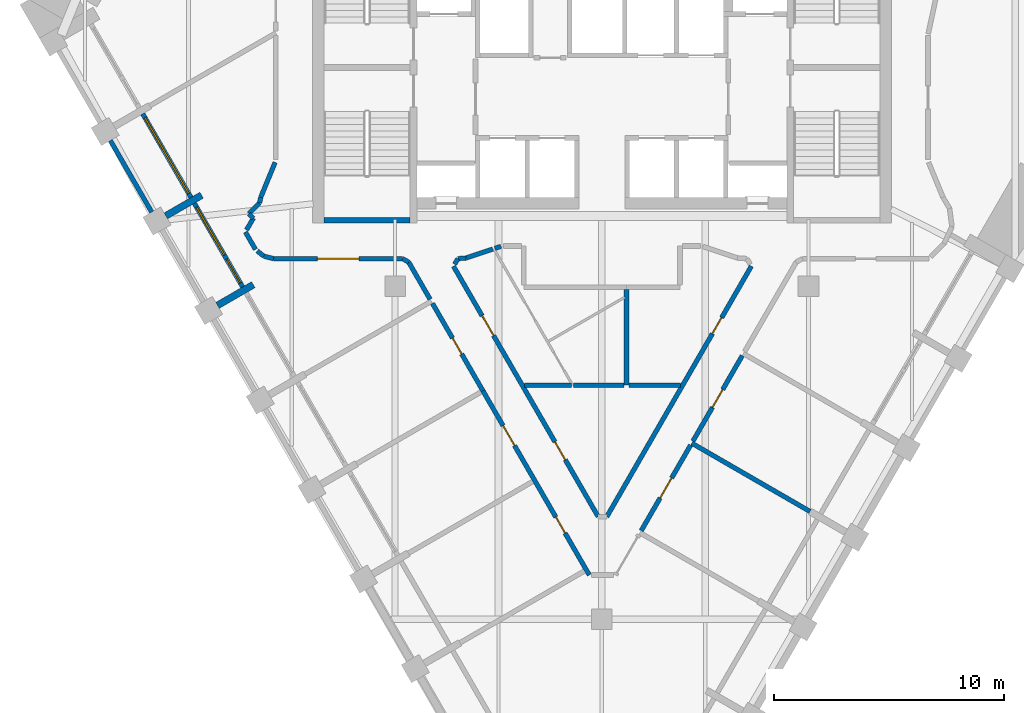
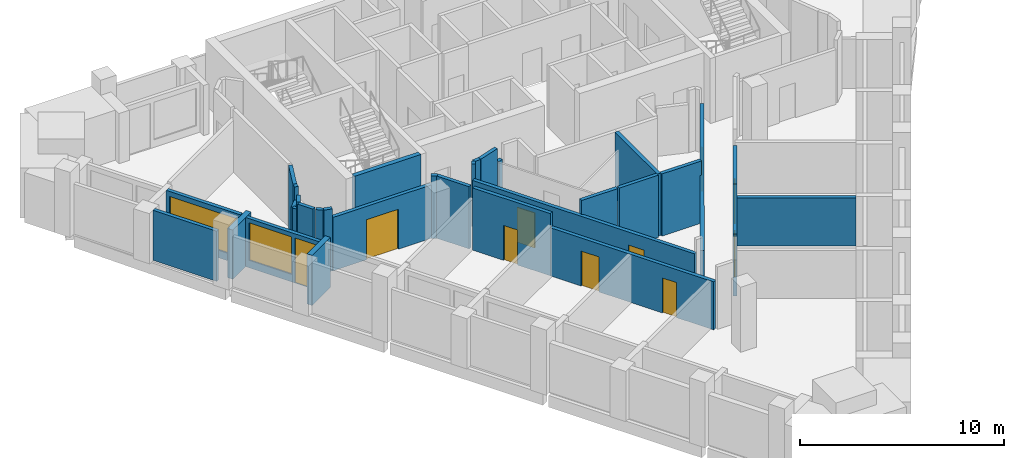
# One storey, part 3 of 8: 32 walls, 10 doors, 2 windows, 12 openings.
"""IFC4 building model written with IfcOpenShell, lengths in metres."""

from ifc_helpers import new_model, si_unit, direction, frame, frame_2d, origin, place, context, subcontext, project, spatial, rectangle, extrude, material, layer, layer_set, type_object, element, fill, save


model = new_model("IFC4")

# Units and contexts
model_context = context("Model", 3, precision=1e-05, world=origin(), true_north=direction((0.0, 1.0)))
body_context = subcontext(model_context, "Body", "Model", "MODEL_VIEW")
ifc_project = project(units=[si_unit("LENGTHUNIT", "METRE"), si_unit("AREAUNIT", "SQUARE_METRE"), si_unit("VOLUMEUNIT", "CUBIC_METRE"), si_unit("PLANEANGLEUNIT", "RADIAN"), si_unit("MASSUNIT", "GRAM", prefix="KILO")], contexts=[model_context])

# Site, building, storey
site_placement = place(None, origin())
site = spatial("IfcSite", under=ifc_project, at=site_placement, CompositionType="ELEMENT")
building_placement = place(site_placement, origin())
building = spatial("IfcBuilding", under=site, at=building_placement, Name="Calabash Gate Tower", CompositionType="ELEMENT")
storey_placement = place(building_placement, frame((0.0, 0.0, 252.10009765625)))
storey = spatial("IfcBuildingStorey", under=building, at=storey_placement, Name="L60", CompositionType="ELEMENT", Elevation=252.10009765625)

# Walls
ifc_material_1 = material(Name="Terracotta brick masonry, exposed face", Category="masonry")
ifc_layer_1 = layer(ifc_material_1, 0.300048828125)
ifc_layer_set_1 = layer_set([ifc_layer_1], Name="Brick loggia cheek wall 300")
wall_type_1 = type_object("IfcWallType", Name="Brick loggia cheek wall 300", PredefinedType="SOLIDWALL", material=ifc_layer_set_1)
wall_1_placement = place(storey_placement, frame((-17.42431640625, 6.462890625, 0.0), z_axis=(0.0, 0.0, 1.0), x_axis=(-0.866047807691, -0.499961193289, 0.0)))
element("IfcWall", 1, at=wall_1_placement, inside=storey, type_object=wall_type_1, Name="Loggia cheek S17 SW0.2", PredefinedType="SOLIDWALL", context=body_context, shape_type="SweptSolid", body=[
    extrude(rectangle(XDim=1.800048828125, YDim=0.300048828125, at=frame_2d((0.89990234375, 0.0))), origin(), (0.0, 0.0, 1.0), 2.949951171875),
])
wall_2_placement = place(storey_placement, frame((-15.17431640625, 2.56591796875, 0.0), z_axis=(0.0, 0.0, 1.0), x_axis=(-0.866047807691, -0.499961193289, 0.0)))
element("IfcWall", 2, at=wall_2_placement, inside=storey, type_object=wall_type_1, Name="Loggia cheek S17 SW0.3", PredefinedType="SOLIDWALL", context=body_context, shape_type="SweptSolid", body=[
    extrude(rectangle(XDim=1.800048828125, YDim=0.300048828125, at=frame_2d((0.89990234375, 0.0))), origin(), (0.0, 0.0, 1.0), 3.0),
])
ifc_material_2 = material(Name="Concrete C60/75", Category="concrete")
ifc_layer_2 = layer(ifc_material_2, 0.25)
ifc_layer_set_2 = layer_set([ifc_layer_2], Name="Core wall 250 Concrete C60/75")
wall_type_2 = type_object("IfcWallType", Name="Core wall 250 Concrete C60/75", PredefinedType="SHEAR", material=ifc_layer_set_2)
wall_3_placement = place(storey_placement, frame((-12.10009765625, 5.377685546875, 0.0), z_axis=(0.0, 0.0, 1.0), x_axis=(1.0, 0.0, 0.0)))
element("IfcWall", 3, at=wall_3_placement, inside=storey, type_object=wall_type_2, Name="Core wall Z5-SSW L60", PredefinedType="SHEAR", context=body_context, shape_type="SweptSolid", body=[
    extrude(rectangle(XDim=3.75, YDim=0.25, at=frame_2d((1.875, 0.0))), origin(), (0.0, 0.0, 1.0), 3.89990234375),
])

# Wall, openings, doors
ifc_material_3 = material(Name="Gypsum board on steel studs, mineral wool", Category="steel")
ifc_layer_3 = layer(ifc_material_3, 0.199951171875)
ifc_layer_set_3 = layer_set([ifc_layer_3], Name="Partition 200 gypsum board EI 60")
wall_type_3 = type_object("IfcWallType", Name="Partition 200 gypsum board EI 60", PredefinedType="PARTITIONING", material=ifc_layer_set_3)
wall_4_placement = place(storey_placement, frame((-5.176513671875, -2.054443359375, 0.0), z_axis=(0.0, 0.0, 1.0), x_axis=(0.499987206771, -0.866032789833, 0.0)))
wall_4 = element("IfcWall", 4, at=wall_4_placement, inside=storey, type_object=wall_type_3, Name="Partition", PredefinedType="PARTITIONING", context=body_context, shape_type="SweptSolid", body=[
    extrude(rectangle(XDim=9.259521484375, YDim=0.199951171875, at=frame_2d((4.6298828125, 0.0))), origin(), (0.0, 0.0, 1.0), 2.884033203125),
])
opening_1_placement = place(wall_4_placement, frame((1.75, 0.0, 0.0)))
opening_1 = element("IfcOpeningElement", 5, at=opening_1_placement, cuts=wall_4, Name="Opening 59-61-002", PredefinedType="OPENING", context=body_context, shape_type="SweptSolid", body=[
    extrude(rectangle(XDim=1.0, YDim=2.10009765625, at=frame_2d((0.5, 1.050048828125))), frame((0.0, 0.10986328125, 0.0), z_axis=(0.0, -1.0, 0.0), x_axis=(1.0, 0.0, 0.0)), (0.0, 0.0, 1.0), 0.219970703125),
])
opening_2_placement = place(wall_4_placement, frame((6.349853515625, 0.0, 0.0)))
opening_2 = element("IfcOpeningElement", 6, at=opening_2_placement, cuts=wall_4, Name="Opening 59-61-003", PredefinedType="OPENING", context=body_context, shape_type="SweptSolid", body=[
    extrude(rectangle(XDim=0.800048828125, YDim=2.10009765625, at=frame_2d((0.39990234375, 1.050048828125))), frame((0.0, 0.10986328125, 0.0), z_axis=(0.0, -1.0, 0.0), x_axis=(1.0, 0.0, 0.0)), (0.0, 0.0, 1.0), 0.219970703125),
])
ifc_material_4 = material(Name="Steel fire door set with fire-resisting glazing", Category="steel")
door_type_1 = type_object("IfcDoorType", Name="LD2 Meeting room door 1000x2100", OperationType="NOTDEFINED", PredefinedType="DOOR", material=ifc_material_4)
door_1_placement = place(opening_1_placement, origin())
door_1 = element("IfcDoor", 7, at=door_1_placement, inside=storey, type_object=door_type_1, Name="Meeting room door", OperationType="SINGLE_SWING_LEFT", OverallHeight=2.10009765625, OverallWidth=1.0, PredefinedType="DOOR", context=body_context, shape_type="SweptSolid", body=[
    extrude(rectangle(XDim=1.0, YDim=2.10009765625, at=frame_2d((0.5, 1.050048828125))), frame((0.0, 0.02490234375, 0.0), z_axis=(0.0, -1.0, 0.0), x_axis=(1.0, 0.0, 0.0)), (0.0, 0.0, 1.0), 0.050048828125),
])
fill(opening_1, door_1)
ifc_material_5 = material(Name="Painted timber door", Category="wood")
door_type_2 = type_object("IfcDoorType", Name="OD4 Phone booth door 800x2100", OperationType="NOTDEFINED", PredefinedType="DOOR", material=ifc_material_5)
door_2_placement = place(opening_2_placement, origin())
door_2 = element("IfcDoor", 8, at=door_2_placement, inside=storey, type_object=door_type_2, Name="Phone booth door", OperationType="SINGLE_SWING_LEFT", OverallHeight=2.10009765625, OverallWidth=0.800048828125, PredefinedType="DOOR", context=body_context, shape_type="SweptSolid", body=[
    extrude(rectangle(XDim=0.800048828125, YDim=2.10009765625, at=frame_2d((0.39990234375, 1.050048828125))), frame((0.0, 0.02490234375, 0.0), z_axis=(0.0, -1.0, 0.0), x_axis=(1.0, 0.0, 0.0)), (0.0, 0.0, 1.0), 0.050048828125),
])
fill(opening_2, door_2)

# Wall, opening, door
wall_5_placement = place(storey_placement, frame((0.216552734375, -7.531982421875, 0.0), z_axis=(0.0, 0.0, 1.0), x_axis=(0.499766665369, 0.866160077691, 0.0)))
wall_5 = element("IfcWall", 9, at=wall_5_placement, inside=storey, type_object=wall_type_3, Name="Partition", PredefinedType="PARTITIONING", context=body_context, shape_type="SweptSolid", body=[
    extrude(rectangle(XDim=12.58837890625, YDim=0.199951171875, at=frame_2d((6.294189453125, 0.0))), origin(), (0.0, 0.0, 1.0), 2.884033203125),
])
opening_3_placement = place(wall_5_placement, frame((9.20068359375, 0.0, 0.0)))
opening_3 = element("IfcOpeningElement", 10, at=opening_3_placement, cuts=wall_5, Name="Opening 59-61-006", PredefinedType="OPENING", context=body_context, shape_type="SweptSolid", body=[
    extrude(rectangle(XDim=0.800048828125, YDim=2.10009765625, at=frame_2d((0.39990234375, 1.050048828125))), frame((0.0, 0.10986328125, 0.0), z_axis=(0.0, -1.0, 0.0), x_axis=(1.0, 0.0, 0.0)), (0.0, 0.0, 1.0), 0.219970703125),
])
ifc_material_6 = material(Name="Steel fire door set with fire-resisting glazing", Category="steel")
door_type_3 = type_object("IfcDoorType", Name="SD2 Riser access door 800x2100", OperationType="NOTDEFINED", PredefinedType="DOOR", material=ifc_material_6)
door_3_placement = place(opening_3_placement, origin())
door_3 = element("IfcDoor", 11, at=door_3_placement, inside=storey, type_object=door_type_3, Name="Riser access door", OperationType="SINGLE_SWING_RIGHT", OverallHeight=2.10009765625, OverallWidth=0.800048828125, PredefinedType="DOOR", context=body_context, shape_type="SweptSolid", body=[
    extrude(rectangle(XDim=0.800048828125, YDim=2.10009765625, at=frame_2d((0.39990234375, 1.050048828125))), frame((0.0, 0.02490234375, 0.0), z_axis=(0.0, -1.0, 0.0), x_axis=(1.0, 0.0, 0.0)), (0.0, 0.0, 1.0), 0.050048828125),
])
fill(opening_3, door_3)

wall_6_placement = place(storey_placement, frame((1.71337890625, -8.143798828125, 0.0), z_axis=(0.0, 0.0, 1.0), x_axis=(0.499986217557, 0.866033360935, 0.0)))
wall_6 = element("IfcWall", 12, at=wall_6_placement, inside=storey, type_object=wall_type_3, Name="Partition", PredefinedType="PARTITIONING", context=body_context, shape_type="SweptSolid", body=[
    extrude(rectangle(XDim=4.2998046875, YDim=0.199951171875, at=frame_2d((2.14990234375, 0.0))), origin(), (0.0, 0.0, 1.0), 3.72998046875),
])
opening_4_placement = place(wall_6_placement, frame((1.64990234375, 0.0, 0.0)))
opening_4 = element("IfcOpeningElement", 13, at=opening_4_placement, cuts=wall_6, Name="Opening 59-61-004", PredefinedType="OPENING", context=body_context, shape_type="SweptSolid", body=[
    extrude(rectangle(XDim=1.0, YDim=2.10009765625, at=frame_2d((0.5, 1.050048828125))), frame((0.0, 0.10986328125, 0.0), z_axis=(0.0, -1.0, 0.0), x_axis=(1.0, 0.0, 0.0)), (0.0, 0.0, 1.0), 0.219970703125),
])
door_4_placement = place(opening_4_placement, origin())
door_4 = element("IfcDoor", 14, at=door_4_placement, inside=storey, type_object=door_type_1, Name="Meeting room door", OperationType="SINGLE_SWING_LEFT", OverallHeight=2.10009765625, OverallWidth=1.0, PredefinedType="DOOR", context=body_context, shape_type="SweptSolid", body=[
    extrude(rectangle(XDim=1.0, YDim=2.10009765625, at=frame_2d((0.5, 1.050048828125))), frame((0.0, 0.02490234375, 0.0), z_axis=(0.0, -1.0, 0.0), x_axis=(1.0, 0.0, 0.0)), (0.0, 0.0, 1.0), 0.050048828125),
])
fill(opening_4, door_4)

# Wall
wall_7_placement = place(storey_placement, frame((3.914306640625, -4.331787109375, 0.0), z_axis=(0.0, 0.0, 1.0), x_axis=(0.865897075154, -0.500222205864, 0.0)))
element("IfcWall", 15, at=wall_7_placement, inside=storey, type_object=wall_type_3, Name="Partition", PredefinedType="PARTITIONING", context=body_context, shape_type="SweptSolid", body=[
    extrude(rectangle(XDim=5.947998046875, YDim=0.199951171875, at=frame_2d((2.97412109375, 0.0))), origin(), (0.0, 0.0, 1.0), 2.884033203125),
])

# Wall, opening, door
wall_8_placement = place(storey_placement, frame((-7.376708984375, 1.756103515625, 0.0), z_axis=(0.0, 0.0, 1.0), x_axis=(0.50001224981, -0.866018331238, 0.0)))
wall_8 = element("IfcWall", 16, at=wall_8_placement, inside=storey, type_object=wall_type_3, Name="Partition", PredefinedType="PARTITIONING", context=body_context, shape_type="SweptSolid", body=[
    extrude(rectangle(XDim=4.39990234375, YDim=0.199951171875, at=frame_2d((2.199951171875, 0.0))), origin(), (0.0, 0.0, 1.0), 3.72998046875),
])
opening_5_placement = place(wall_8_placement, frame((1.75, 0.0, 0.0)))
opening_5 = element("IfcOpeningElement", 17, at=opening_5_placement, cuts=wall_8, Name="Opening 59-61-001", PredefinedType="OPENING", context=body_context, shape_type="SweptSolid", body=[
    extrude(rectangle(XDim=0.800048828125, YDim=2.10009765625, at=frame_2d((0.39990234375, 1.050048828125))), frame((0.0, 0.10986328125, 0.0), z_axis=(0.0, -1.0, 0.0), x_axis=(1.0, 0.0, 0.0)), (0.0, 0.0, 1.0), 0.219970703125),
])
door_5_placement = place(opening_5_placement, origin())
door_5 = element("IfcDoor", 18, at=door_5_placement, inside=storey, type_object=door_type_3, Name="Riser access door", OperationType="SINGLE_SWING_RIGHT", OverallHeight=2.10009765625, OverallWidth=0.800048828125, PredefinedType="DOOR", context=body_context, shape_type="SweptSolid", body=[
    extrude(rectangle(XDim=0.800048828125, YDim=2.10009765625, at=frame_2d((0.39990234375, 1.050048828125))), frame((0.0, 0.02490234375, 0.0), z_axis=(0.0, -1.0, 0.0), x_axis=(1.0, 0.0, 0.0)), (0.0, 0.0, 1.0), 0.050048828125),
])
fill(opening_5, door_5)

# Walls
wall_9_placement = place(storey_placement, frame((1.17626953125, -1.804931640625, 0.0), z_axis=(0.0, 0.0, 1.0), x_axis=(0.999999709909, -0.000761697276, 0.0)))
element("IfcWall", 19, at=wall_9_placement, inside=storey, type_object=wall_type_3, Name="Partition", PredefinedType="PARTITIONING", context=body_context, shape_type="SweptSolid", body=[
    extrude(rectangle(XDim=2.24365234375, YDim=0.199951171875, at=frame_2d((1.121826171875, 0.0))), origin(), (0.0, 0.0, 1.0), 3.72998046875),
])
wall_10_placement = place(storey_placement, frame((-3.36962890625, -1.80322265625, 0.0), z_axis=(0.0, 0.0, 1.0), x_axis=(0.999999992849, 0.000119588614, 0.0)))
element("IfcWall", 20, at=wall_10_placement, inside=storey, type_object=wall_type_3, Name="Partition", PredefinedType="PARTITIONING", context=body_context, shape_type="SweptSolid", body=[
    extrude(rectangle(XDim=2.04150390625, YDim=0.199951171875, at=frame_2d((1.020751953125, 0.0))), origin(), (0.0, 0.0, 1.0), 3.72998046875),
])
wall_11_placement = place(storey_placement, frame((-1.226806640625, -1.8046875, 0.0), z_axis=(0.0, 0.0, 1.0), x_axis=(0.999999698604, 0.000776397282, 0.0)))
element("IfcWall", 21, at=wall_11_placement, inside=storey, type_object=wall_type_3, Name="Partition", PredefinedType="PARTITIONING", context=body_context, shape_type="SweptSolid", body=[
    extrude(rectangle(XDim=2.201171875, YDim=0.199951171875, at=frame_2d((1.1005859375, 0.0))), origin(), (0.0, 0.0, 1.0), 3.72998046875),
])
wall_12_placement = place(storey_placement, frame((1.074462890625, -1.802978515625, 0.0), z_axis=(0.0, 0.0, 1.0), x_axis=(0.0, 1.0, 0.0)))
element("IfcWall", 22, at=wall_12_placement, inside=storey, type_object=wall_type_3, Name="Partition", PredefinedType="PARTITIONING", context=body_context, shape_type="SweptSolid", body=[
    extrude(rectangle(XDim=4.153564453125, YDim=0.199951171875, at=frame_2d((2.07666015625, 0.0))), origin(), (0.0, 0.0, 1.0), 3.72998046875),
])

# Wall, opening, door
wall_13_placement = place(storey_placement, frame((3.96435546875, -4.2451171875, 0.0), z_axis=(0.0, 0.0, 1.0), x_axis=(0.499987977232, 0.866032345022, 0.0)))
wall_13 = element("IfcWall", 23, at=wall_13_placement, inside=storey, type_object=wall_type_3, Name="Partition", PredefinedType="PARTITIONING", context=body_context, shape_type="SweptSolid", body=[
    extrude(rectangle(XDim=4.2978515625, YDim=0.199951171875, at=frame_2d((2.14892578125, 0.0))), origin(), (0.0, 0.0, 1.0), 2.884033203125),
])
opening_6_placement = place(wall_13_placement, frame((1.697998046875, 0.0, 0.0)))
opening_6 = element("IfcOpeningElement", 24, at=opening_6_placement, cuts=wall_13, Name="Opening 59-61-005", PredefinedType="OPENING", context=body_context, shape_type="SweptSolid", body=[
    extrude(rectangle(XDim=0.89990234375, YDim=2.10009765625, at=frame_2d((0.449951171875, 1.050048828125))), frame((0.0, 0.10986328125, 0.0), z_axis=(0.0, -1.0, 0.0), x_axis=(1.0, 0.0, 0.0)), (0.0, 0.0, 1.0), 0.219970703125),
])
ifc_material_7 = material(Name="Steel fire door set with fire-resisting glazing", Category="steel")
door_type_4 = type_object("IfcDoorType", Name="SD3 Store door 900x2100", OperationType="NOTDEFINED", PredefinedType="DOOR", material=ifc_material_7)
door_6_placement = place(opening_6_placement, origin())
door_6 = element("IfcDoor", 25, at=door_6_placement, inside=storey, type_object=door_type_4, Name="Store door", OperationType="SINGLE_SWING_RIGHT", OverallHeight=2.10009765625, OverallWidth=0.89990234375, PredefinedType="DOOR", context=body_context, shape_type="SweptSolid", body=[
    extrude(rectangle(XDim=0.89990234375, YDim=2.10009765625, at=frame_2d((0.449951171875, 1.050048828125))), frame((0.0, 0.02490234375, 0.0), z_axis=(0.0, -1.0, 0.0), x_axis=(1.0, 0.0, 0.0)), (0.0, 0.0, 1.0), 0.050048828125),
])
fill(opening_6, door_6)

# Wall
wall_14_placement = place(storey_placement, frame((-8.40869140625, 3.54638671875, 0.0), z_axis=(0.0, 0.0, 1.0), x_axis=(0.499446790572, -0.866344563893, 0.0)))
element("IfcWall", 26, at=wall_14_placement, inside=storey, type_object=wall_type_3, Name="Partition", PredefinedType="PARTITIONING", context=body_context, shape_type="SweptSolid", body=[
    extrude(rectangle(XDim=1.86572265625, YDim=0.199951171875, at=frame_2d((0.932861328125, 0.0))), origin(), (0.0, 0.0, 1.0), 3.72998046875),
])

# Wall, openings, doors
wall_15_placement = place(storey_placement, frame((-6.45849609375, 3.3701171875, 0.0), z_axis=(0.0, 0.0, 1.0), x_axis=(0.500262411632, -0.86587384734, 0.0)))
wall_15 = element("IfcWall", 27, at=wall_15_placement, inside=storey, type_object=wall_type_3, Name="Partition", PredefinedType="PARTITIONING", context=body_context, shape_type="SweptSolid", body=[
    extrude(rectangle(XDim=12.588623046875, YDim=0.199951171875, at=frame_2d((6.29443359375, 0.0))), origin(), (0.0, 0.0, 1.0), 2.884033203125),
])
opening_7_placement = place(wall_15_placement, frame((8.83203125, 0.0, 0.0)))
opening_7 = element("IfcOpeningElement", 28, at=opening_7_placement, cuts=wall_15, Name="Opening 59-61-007", PredefinedType="OPENING", context=body_context, shape_type="SweptSolid", body=[
    extrude(rectangle(XDim=0.89990234375, YDim=2.10009765625, at=frame_2d((0.449951171875, 1.050048828125))), frame((0.0, 0.10986328125, 0.0), z_axis=(0.0, -1.0, 0.0), x_axis=(1.0, 0.0, 0.0)), (0.0, 0.0, 1.0), 0.219970703125),
])
opening_8_placement = place(wall_15_placement, frame((2.48779296875, 0.0, 0.0)))
opening_8 = element("IfcOpeningElement", 29, at=opening_8_placement, cuts=wall_15, Name="Opening 59-61-013", PredefinedType="OPENING", context=body_context, shape_type="SweptSolid", body=[
    extrude(rectangle(XDim=1.0, YDim=2.10009765625, at=frame_2d((0.5, 1.050048828125))), frame((0.0, 0.10986328125, 0.0), z_axis=(0.0, -1.0, 0.0), x_axis=(1.0, 0.0, 0.0)), (0.0, 0.0, 1.0), 0.219970703125),
])
door_7_placement = place(opening_7_placement, origin())
door_7 = element("IfcDoor", 30, at=door_7_placement, inside=storey, type_object=door_type_4, Name="Store door", OperationType="SINGLE_SWING_RIGHT", OverallHeight=2.10009765625, OverallWidth=0.89990234375, PredefinedType="DOOR", context=body_context, shape_type="SweptSolid", body=[
    extrude(rectangle(XDim=0.89990234375, YDim=2.10009765625, at=frame_2d((0.449951171875, 1.050048828125))), frame((0.0, 0.02490234375, 0.0), z_axis=(0.0, -1.0, 0.0), x_axis=(1.0, 0.0, 0.0)), (0.0, 0.0, 1.0), 0.050048828125),
])
fill(opening_7, door_7)
ifc_material_8 = material(Name="Steel fire door set with fire-resisting glazing", Category="steel")
door_type_5 = type_object("IfcDoorType", Name="WD3 WC lobby door 1000x2100", OperationType="NOTDEFINED", PredefinedType="DOOR", material=ifc_material_8)
door_8_placement = place(opening_8_placement, origin())
door_8 = element("IfcDoor", 31, at=door_8_placement, inside=storey, type_object=door_type_5, Name="WC lobby door", OperationType="SINGLE_SWING_LEFT", OverallHeight=2.10009765625, OverallWidth=1.0, PredefinedType="DOOR", context=body_context, shape_type="SweptSolid", body=[
    extrude(rectangle(XDim=1.0, YDim=2.10009765625, at=frame_2d((0.5, 1.050048828125))), frame((0.0, 0.02490234375, 0.0), z_axis=(0.0, -1.0, 0.0), x_axis=(1.0, 0.0, 0.0)), (0.0, 0.0, 1.0), 0.050048828125),
])
fill(opening_8, door_8)

# Walls
wall_16_placement = place(storey_placement, frame((-8.673583984375, 3.699462890625, 0.0), z_axis=(0.0, 0.0, 1.0), x_axis=(0.865826662844, -0.500344071524, 0.0)))
element("IfcWall", 32, at=wall_16_placement, inside=storey, type_object=wall_type_3, Name="Partition", PredefinedType="PARTITIONING", context=body_context, shape_type="SweptSolid", body=[
    extrude(rectangle(XDim=0.305908203125, YDim=0.199951171875, at=frame_2d((0.15283203125, 0.0))), origin(), (0.0, 0.0, 1.0), 3.72998046875),
])
wall_17_placement = place(storey_placement, frame((-14.716796875, 3.80517578125, 0.0), z_axis=(0.0, 0.0, 1.0), x_axis=(0.970273866593, -0.242009553131, 0.0)))
element("IfcWall", 33, at=wall_17_placement, inside=storey, type_object=wall_type_3, Name="Partition", PredefinedType="PARTITIONING", context=body_context, shape_type="SweptSolid", body=[
    extrude(rectangle(XDim=0.436767578125, YDim=0.199951171875, at=frame_2d((0.21826171875, 0.0))), origin(), (0.0, 0.0, 1.0), 3.72998046875),
])

# Wall, opening, door
wall_18_placement = place(storey_placement, frame((-14.29296875, 3.699462890625, 0.0), z_axis=(0.0, 0.0, 1.0), x_axis=(1.0, 0.0, 0.0)))
wall_18 = element("IfcWall", 34, at=wall_18_placement, inside=storey, type_object=wall_type_3, Name="Partition", PredefinedType="PARTITIONING", context=body_context, shape_type="SweptSolid", body=[
    extrude(rectangle(XDim=5.619384765625, YDim=0.199951171875, at=frame_2d((2.8095703125, 0.0))), origin(), (0.0, 0.0, 1.0), 3.20166015625),
])
opening_9_placement = place(wall_18_placement, frame((1.90966796875, 0.0, 0.0)))
opening_9 = element("IfcOpeningElement", 35, at=opening_9_placement, cuts=wall_18, Name="Opening 59-61-008", PredefinedType="OPENING", context=body_context, shape_type="SweptSolid", body=[
    extrude(rectangle(XDim=1.800048828125, YDim=2.39990234375, at=frame_2d((0.89990234375, 1.199951171875))), frame((0.0, 0.10986328125, 0.0), z_axis=(0.0, -1.0, 0.0), x_axis=(1.0, 0.0, 0.0)), (0.0, 0.0, 1.0), 0.219970703125),
])
ifc_material_9 = material(Name="Steel fire door set with fire-resisting glazing", Category="steel")
door_type_6 = type_object("IfcDoorType", Name="OD5 Open office double door 1800x2400", OperationType="NOTDEFINED", PredefinedType="DOOR", material=ifc_material_9)
door_9_placement = place(opening_9_placement, origin())
door_9 = element("IfcDoor", 36, at=door_9_placement, inside=storey, type_object=door_type_6, Name="Open office double door", OperationType="DOUBLE_DOOR_SINGLE_SWING", OverallHeight=2.39990234375, OverallWidth=1.800048828125, PredefinedType="DOOR", context=body_context, shape_type="SweptSolid", body=[
    extrude(rectangle(XDim=1.800048828125, YDim=2.39990234375, at=frame_2d((0.89990234375, 1.199951171875))), frame((0.0, 0.02490234375, 0.0), z_axis=(0.0, -1.0, 0.0), x_axis=(1.0, 0.0, 0.0)), (0.0, 0.0, 1.0), 0.050048828125),
])
fill(opening_9, door_9)

# Walls
wall_19_placement = place(storey_placement, frame((-6.408447265625, 3.45654296875, 0.0), z_axis=(0.0, 0.0, 1.0), x_axis=(0.499973348067, 0.866040790738, 0.0)))
element("IfcWall", 37, at=wall_19_placement, inside=storey, type_object=wall_type_3, Name="Partition", PredefinedType="PARTITIONING", context=body_context, shape_type="SweptSolid", body=[
    extrude(rectangle(XDim=0.28076171875, YDim=0.199951171875, at=frame_2d((0.140380859375, 0.0))), origin(), (0.0, 0.0, 1.0), 3.72998046875),
])
wall_20_placement = place(storey_placement, frame((-6.26806640625, 3.69970703125, 0.0), z_axis=(0.0, 0.0, 1.0), x_axis=(0.996441862788, 0.084282940645, 0.0)))
element("IfcWall", 38, at=wall_20_placement, inside=storey, type_object=wall_type_3, Name="Partition", PredefinedType="PARTITIONING", context=body_context, shape_type="SweptSolid", body=[
    extrude(rectangle(XDim=0.359130859375, YDim=0.199951171875, at=frame_2d((0.1796875, 0.0))), origin(), (0.0, 0.0, 1.0), 3.72998046875),
])
wall_21_placement = place(storey_placement, frame((-15.002197265625, 4.0380859375, 0.0), z_axis=(0.0, 0.0, 1.0), x_axis=(0.774753953522, -0.632262850009, 0.0)))
element("IfcWall", 39, at=wall_21_placement, inside=storey, type_object=wall_type_3, Name="Partition", PredefinedType="PARTITIONING", context=body_context, shape_type="SweptSolid", body=[
    extrude(rectangle(XDim=0.368408203125, YDim=0.199951171875, at=frame_2d((0.18408203125, 0.0))), origin(), (0.0, 0.0, 1.0), 3.72998046875),
])
wall_22_placement = place(storey_placement, frame((-15.519287109375, 4.862548828125, 0.0), z_axis=(0.0, 0.0, 1.0), x_axis=(0.499962889934, -0.866046828231, 0.0)))
element("IfcWall", 40, at=wall_22_placement, inside=storey, type_object=wall_type_3, Name="Partition", PredefinedType="PARTITIONING", context=body_context, shape_type="SweptSolid", body=[
    extrude(rectangle(XDim=0.87890625, YDim=0.199951171875, at=frame_2d((0.439453125, 0.0))), origin(), (0.0, 0.0, 1.0), 3.72998046875),
])
wall_23_placement = place(storey_placement, frame((-5.91015625, 3.72998046875, 0.0), z_axis=(0.0, 0.0, 1.0), x_axis=(0.949201798451, 0.314667992999, 0.0)))
element("IfcWall", 41, at=wall_23_placement, inside=storey, type_object=wall_type_3, Name="Partition", PredefinedType="PARTITIONING", context=body_context, shape_type="SweptSolid", body=[
    extrude(rectangle(XDim=1.22119140625, YDim=0.199951171875, at=frame_2d((0.610595703125, 0.0))), origin(), (0.0, 0.0, 1.0), 3.72998046875),
])
wall_24_placement = place(storey_placement, frame((-4.656005859375, 4.146240234375, 0.0), z_axis=(0.0, 0.0, 1.0), x_axis=(0.947002540531, 0.321226070282, 0.0)))
element("IfcWall", 42, at=wall_24_placement, inside=storey, type_object=wall_type_3, Name="Partition", PredefinedType="PARTITIONING", context=body_context, shape_type="SweptSolid", body=[
    extrude(rectangle(XDim=0.278076171875, YDim=0.199951171875, at=frame_2d((0.13916015625, 0.0))), origin(), (0.0, 0.0, 1.0), 2.884033203125),
])
wall_25_placement = place(storey_placement, frame((-15.46923828125, 4.94921875, 0.0), z_axis=(0.0, 0.0, 1.0), x_axis=(0.499805408949, 0.866137721835, 0.0)))
element("IfcWall", 43, at=wall_25_placement, inside=storey, type_object=wall_type_3, Name="Partition", PredefinedType="PARTITIONING", context=body_context, shape_type="SweptSolid", body=[
    extrude(rectangle(XDim=0.594482421875, YDim=0.199951171875, at=frame_2d((0.29736328125, 0.0))), origin(), (0.0, 0.0, 1.0), 3.72998046875),
])
wall_26_placement = place(storey_placement, frame((-15.3671875, 5.6591796875, 0.0), z_axis=(0.0, 0.0, 1.0), x_axis=(0.707106781187, -0.707106781187, 0.0)))
element("IfcWall", 44, at=wall_26_placement, inside=storey, type_object=wall_type_3, Name="Partition", PredefinedType="PARTITIONING", context=body_context, shape_type="SweptSolid", body=[
    extrude(rectangle(XDim=0.27587890625, YDim=0.199951171875, at=frame_2d((0.137939453125, 0.0))), origin(), (0.0, 0.0, 1.0), 2.949951171875),
])
wall_27_placement = place(storey_placement, frame((-15.3671875, 5.6591796875, 0.0), z_axis=(0.0, 0.0, 1.0), x_axis=(0.706922278448, 0.707291235796, 0.0)))
element("IfcWall", 45, at=wall_27_placement, inside=storey, type_object=wall_type_3, Name="Partition", PredefinedType="PARTITIONING", context=body_context, shape_type="SweptSolid", body=[
    extrude(rectangle(XDim=0.66162109375, YDim=0.199951171875, at=frame_2d((0.330810546875, 0.0))), origin(), (0.0, 0.0, 1.0), 2.949951171875),
])
wall_28_placement = place(storey_placement, frame((-14.8994140625, 6.127197265625, 0.0), z_axis=(0.0, 0.0, 1.0), x_axis=(0.194433250977, 0.980915751181, 0.0)))
element("IfcWall", 46, at=wall_28_placement, inside=storey, type_object=wall_type_3, Name="Partition", PredefinedType="PARTITIONING", context=body_context, shape_type="SweptSolid", body=[
    extrude(rectangle(XDim=0.251220703125, YDim=0.199951171875, at=frame_2d((0.12548828125, 0.0))), origin(), (0.0, 0.0, 1.0), 3.72998046875),
])
wall_29_placement = place(storey_placement, frame((-14.8505859375, 6.37353515625, 0.0), z_axis=(0.0, 0.0, 1.0), x_axis=(0.380697489052, 0.924699638709, 0.0)))
element("IfcWall", 47, at=wall_29_placement, inside=storey, type_object=wall_type_3, Name="Partition", PredefinedType="PARTITIONING", context=body_context, shape_type="SweptSolid", body=[
    extrude(rectangle(XDim=1.64306640625, YDim=0.199951171875, at=frame_2d((0.821533203125, 0.0))), origin(), (0.0, 0.0, 1.0), 3.72998046875),
])
ifc_material_10 = material(Name="Terracotta brick masonry, perforated", Category="masonry")
ifc_layer_4 = layer(ifc_material_10, 0.199951171875)
ifc_layer_set_4 = layer_set([ifc_layer_4], Name="Terracotta jaali screen A")
wall_type_4 = type_object("IfcWallType", Name="Terracotta jaali screen A", PredefinedType="SOLIDWALL", material=ifc_layer_set_4)
wall_30_placement = place(storey_placement, frame((-21.39794921875, 8.845458984375, 0.0), z_axis=(0.0, 0.0, 1.0), x_axis=(0.500012057535, -0.866018442252, 0.0)))
element("IfcWall", 48, at=wall_30_placement, inside=storey, type_object=wall_type_4, Name="SCREEN A S17 SW0.2", PredefinedType="SOLIDWALL", context=body_context, shape_type="SweptSolid", body=[
    extrude(rectangle(XDim=3.60009765625, YDim=0.199951171875, at=frame_2d((1.800048828125, 0.0))), origin(), (0.0, 0.0, 1.0), 3.0),
])

# Wall, opening, window
ifc_material_11 = material(Name="Aluminium framed window wall with insulated spandrel", Category="aluminium")
ifc_layer_5 = layer(ifc_material_11, 0.199951171875)
ifc_layer_set_5 = layer_set([ifc_layer_5], Name="Window wall 200")
wall_type_5 = type_object("IfcWallType", Name="Window wall 200", PredefinedType="ELEMENTEDWALL", material=ifc_layer_set_5)
wall_31_placement = place(storey_placement, frame((-19.989013671875, 10.005126953125, 0.0), z_axis=(0.0, 0.0, 1.0), x_axis=(0.500027713859, -0.866009402589, 0.0)))
wall_31 = element("IfcWall", 49, at=wall_31_placement, inside=storey, type_object=wall_type_5, Name="Window wall S17 SW0.2", PredefinedType="ELEMENTEDWALL", context=body_context, shape_type="SweptSolid", body=[
    extrude(rectangle(XDim=4.199951171875, YDim=0.199951171875, at=frame_2d((2.10009765625, 0.0))), origin(), (0.0, 0.0, 1.0), 3.0),
])
opening_10_placement = place(wall_31_placement, frame((0.199951171875, 0.0, 0.449951171875)))
opening_10 = element("IfcOpeningElement", 50, at=opening_10_placement, cuts=wall_31, Name="Opening OW2", PredefinedType="OPENING", context=body_context, shape_type="SweptSolid", body=[
    extrude(rectangle(XDim=3.800048828125, YDim=2.25, at=frame_2d((1.89990234375, 1.125))), frame((0.0, 0.10986328125, 0.0), z_axis=(0.0, -1.0, 0.0), x_axis=(1.0, 0.0, 0.0)), (0.0, 0.0, 1.0), 0.219970703125),
])
ifc_material_12 = material(Name="Anodised aluminium frame, bronze finish, impact-rated laminated clear glazing", Category="aluminium")
window_type_1 = type_object("IfcWindowType", Name="Window OW2 3800x2250", PartitioningType="TRIPLE_PANEL_VERTICAL", PredefinedType="WINDOW", material=ifc_material_12)
window_1_placement = place(opening_10_placement, origin())
window_1 = element("IfcWindow", 51, at=window_1_placement, inside=storey, type_object=window_type_1, Name="Window OW2 S17 SW0.2", OverallHeight=2.25, OverallWidth=3.800048828125, PartitioningType="SINGLE_PANEL", PredefinedType="WINDOW", context=body_context, shape_type="SweptSolid", body=[
    extrude(rectangle(XDim=3.800048828125, YDim=2.25, at=frame_2d((1.89990234375, 1.125))), frame((0.0, 0.030029296875, 0.0), z_axis=(0.0, -1.0, 0.0), x_axis=(1.0, 0.0, 0.0)), (0.0, 0.0, 1.0), 0.06005859375),
])
fill(opening_10, window_1)

# Wall, openings, door, window
wall_32_placement = place(storey_placement, frame((-17.739013671875, 6.108154296875, 0.0), z_axis=(0.0, 0.0, 1.0), x_axis=(0.500002543286, -0.866023935413, 0.0)))
wall_32 = element("IfcWall", 52, at=wall_32_placement, inside=storey, type_object=wall_type_5, Name="Window wall S17 SW0.3", PredefinedType="ELEMENTEDWALL", context=body_context, shape_type="SweptSolid", body=[
    extrude(rectangle(XDim=4.2001953125, YDim=0.199951171875, at=frame_2d((2.10009765625, 0.0))), origin(), (0.0, 0.0, 1.0), 2.949951171875),
])
opening_11_placement = place(wall_32_placement, frame((0.199951171875, 0.0, 0.449951171875)))
opening_11 = element("IfcOpeningElement", 53, at=opening_11_placement, cuts=wall_32, Name="Opening OW1", PredefinedType="OPENING", context=body_context, shape_type="SweptSolid", body=[
    extrude(rectangle(XDim=2.39990234375, YDim=2.25, at=frame_2d((1.199951171875, 1.125))), frame((0.0, 0.10986328125, 0.0), z_axis=(0.0, -1.0, 0.0), x_axis=(1.0, 0.0, 0.0)), (0.0, 0.0, 1.0), 0.219970703125),
])
opening_12_placement = place(wall_32_placement, frame((2.800048828125, 0.0, 0.0)))
opening_12 = element("IfcOpeningElement", 54, at=opening_12_placement, cuts=wall_32, Name="Opening O9-018", PredefinedType="OPENING", context=body_context, shape_type="SweptSolid", body=[
    extrude(rectangle(XDim=1.199951171875, YDim=2.699951171875, at=frame_2d((0.60009765625, 1.35009765625))), frame((0.0, 0.10986328125, 0.0), z_axis=(0.0, -1.0, 0.0), x_axis=(1.0, 0.0, 0.0)), (0.0, 0.0, 1.0), 0.219970703125),
])
ifc_material_13 = material(Name="Anodised aluminium frame, bronze finish, impact-rated laminated clear glazing", Category="aluminium")
door_type_7 = type_object("IfcDoorType", Name="Loggia door DO1 1200x2700", OperationType="SLIDING_TO_LEFT", PredefinedType="DOOR", material=ifc_material_13)
door_10_placement = place(opening_12_placement, origin())
door_10 = element("IfcDoor", 55, at=door_10_placement, inside=storey, type_object=door_type_7, Name="Loggia door S17 SW0.3", OperationType="SINGLE_SWING_LEFT", OverallHeight=2.699951171875, OverallWidth=1.199951171875, PredefinedType="DOOR", context=body_context, shape_type="SweptSolid", body=[
    extrude(rectangle(XDim=1.199951171875, YDim=2.699951171875, at=frame_2d((0.60009765625, 1.35009765625))), frame((0.0, 0.02490234375, 0.0), z_axis=(0.0, -1.0, 0.0), x_axis=(1.0, 0.0, 0.0)), (0.0, 0.0, 1.0), 0.050048828125),
])
fill(opening_12, door_10)
ifc_material_14 = material(Name="Anodised aluminium frame, bronze finish, impact-rated laminated clear glazing", Category="aluminium")
window_type_2 = type_object("IfcWindowType", Name="Window OW1 2400x2250", PartitioningType="DOUBLE_PANEL_VERTICAL", PredefinedType="WINDOW", material=ifc_material_14)
window_2_placement = place(opening_11_placement, origin())
window_2 = element("IfcWindow", 56, at=window_2_placement, inside=storey, type_object=window_type_2, Name="Window OW1 S17 SW0.3", OverallHeight=2.25, OverallWidth=2.39990234375, PartitioningType="SINGLE_PANEL", PredefinedType="WINDOW", context=body_context, shape_type="SweptSolid", body=[
    extrude(rectangle(XDim=2.39990234375, YDim=2.25, at=frame_2d((1.199951171875, 1.125))), frame((0.0, 0.030029296875, 0.0), z_axis=(0.0, -1.0, 0.0), x_axis=(1.0, 0.0, 0.0)), (0.0, 0.0, 1.0), 0.06005859375),
])
fill(opening_11, window_2)

save(model, "model.ifc")
